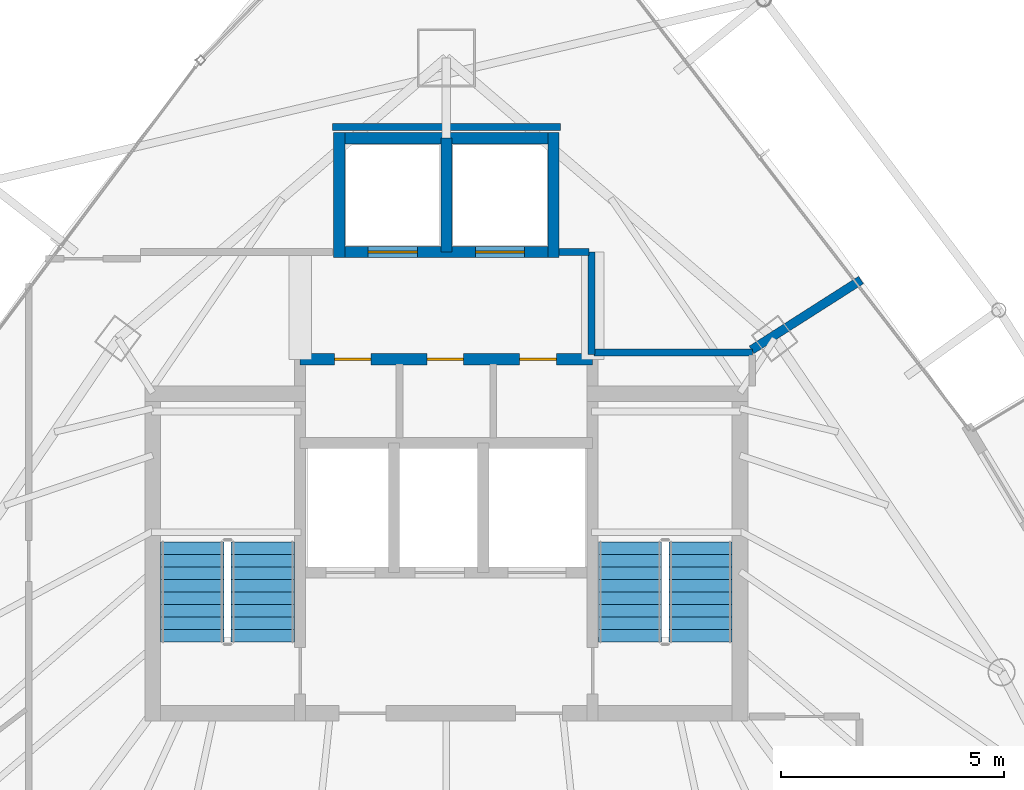
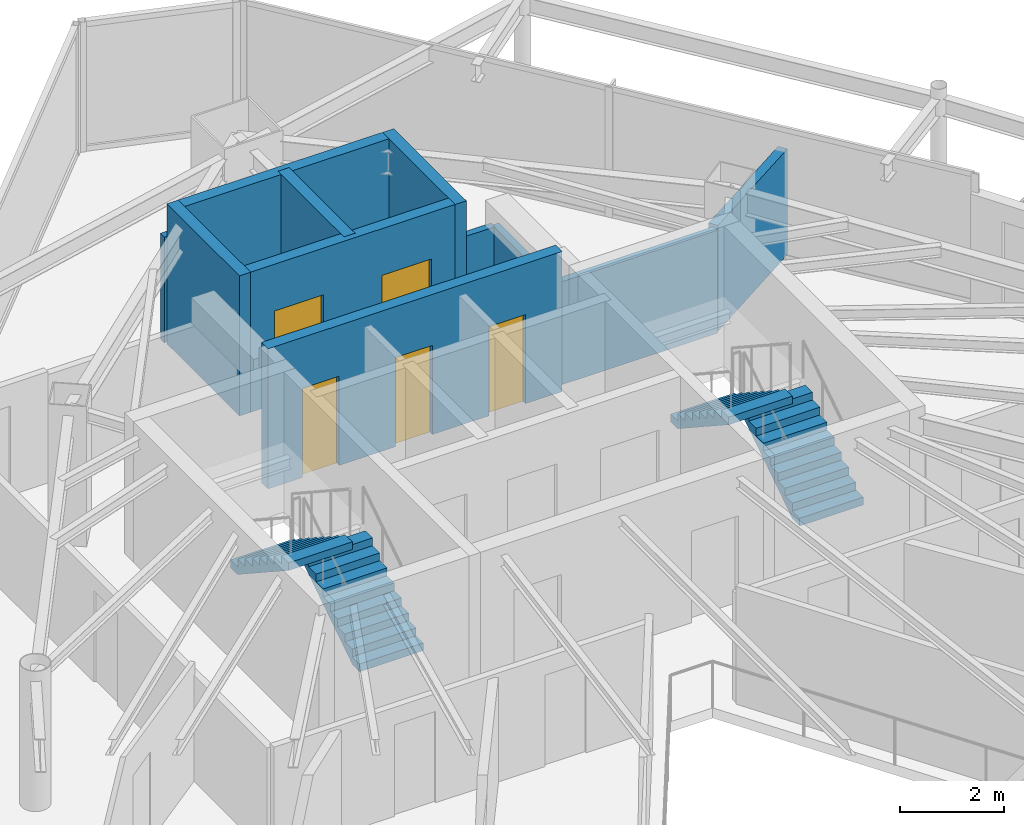
# One storey, part 30 of 33: 11 walls, 5 doors, 4 stair flights, 5 openings, 2 elements without a shape of their own.
"""IFC4 building model written with IfcOpenShell, lengths in metres."""

from ifc_helpers import new_model, si_unit, direction, frame, frame_2d, origin, place, context, subcontext, project, spatial, polyline, rectangle, outline, extrude, material, layer, layer_set, type_object, element, fill, aggregate, save


model = new_model("IFC4")

# Units and contexts
model_context = context("Model", 3, precision=1e-05, world=origin(), true_north=direction((0.0, 1.0)))
body_context = subcontext(model_context, "Body", "Model", "MODEL_VIEW")
ifc_project = project(units=[si_unit("LENGTHUNIT", "METRE"), si_unit("AREAUNIT", "SQUARE_METRE"), si_unit("VOLUMEUNIT", "CUBIC_METRE"), si_unit("PLANEANGLEUNIT", "RADIAN"), si_unit("MASSUNIT", "GRAM", prefix="KILO")], contexts=[model_context])

# Site, building, storey
site_placement = place(None, origin())
site = spatial("IfcSite", under=ifc_project, at=site_placement, CompositionType="ELEMENT")
building_placement = place(site_placement, origin())
building = spatial("IfcBuilding", under=site, at=building_placement, Name="Orvanel Arch Residences", CompositionType="ELEMENT")
storey_placement = place(building_placement, frame((0.0, 0.0, 209.60009765625)))
storey = spatial("IfcBuildingStorey", under=building, at=storey_placement, Name="L59", CompositionType="ELEMENT", Elevation=209.60009765625)

# Wall, openings, doors
ifc_material_1 = material(Name="Concrete N50 (50 MPa)", Category="concrete")
ifc_layer_1 = layer(ifc_material_1, 0.25)
ifc_layer_set_1 = layer_set([ifc_layer_1], Name="Concrete N50 (50 MPa)")
wall_type_1 = type_object("IfcWallType", Name="SW-CORE-250", PredefinedType="SHEAR", material=ifc_layer_set_1)
wall_1_placement = place(storey_placement, frame((29.72509765625, 34.64990234375, 0.0), z_axis=(0.0, 0.0, 1.0), x_axis=(1.0, 0.0, 0.0)))
wall_1 = element("IfcWall", 1, at=wall_1_placement, inside=storey, type_object=wall_type_1, Name="L59 Core Service Band North Shear Wall", PredefinedType="SHEAR", context=body_context, shape_type="SweptSolid", body=[
    extrude(rectangle(XDim=6.5498046875, YDim=0.25, at=frame_2d((3.27490234375, 0.0))), origin(), (0.0, 0.0, 1.0), 3.2998046875),
])
opening_1_placement = place(wall_1_placement, frame((0.764892578125, 0.0, 0.0)))
opening_1 = element("IfcOpeningElement", 2, at=opening_1_placement, cuts=wall_1, Name="Opening DS-082", PredefinedType="OPENING", context=body_context, shape_type="SweptSolid", body=[
    extrude(rectangle(XDim=0.820068359375, YDim=2.10009765625, at=frame_2d((0.41015625, 1.050048828125))), frame((0.0, 0.135009765625, 0.0), z_axis=(0.0, -1.0, 0.0), x_axis=(1.0, 0.0, 0.0)), (0.0, 0.0, 1.0), 0.27001953125),
])
opening_2_placement = place(wall_1_placement, frame((2.840087890625, 0.0, 0.0)))
opening_2 = element("IfcOpeningElement", 3, at=opening_2_placement, cuts=wall_1, Name="Opening DS-082", PredefinedType="OPENING", context=body_context, shape_type="SweptSolid", body=[
    extrude(rectangle(XDim=0.820068359375, YDim=2.10009765625, at=frame_2d((0.41015625, 1.050048828125))), frame((0.0, 0.135009765625, 0.0), z_axis=(0.0, -1.0, 0.0), x_axis=(1.0, 0.0, 0.0)), (0.0, 0.0, 1.0), 0.27001953125),
])
opening_3_placement = place(wall_1_placement, frame((4.9150390625, 0.0, 0.0)))
opening_3 = element("IfcOpeningElement", 4, at=opening_3_placement, cuts=wall_1, Name="Opening DS-082", PredefinedType="OPENING", context=body_context, shape_type="SweptSolid", body=[
    extrude(rectangle(XDim=0.820068359375, YDim=2.10009765625, at=frame_2d((0.41015625, 1.050048828125))), frame((0.0, 0.135009765625, 0.0), z_axis=(0.0, -1.0, 0.0), x_axis=(1.0, 0.0, 0.0)), (0.0, 0.0, 1.0), 0.27001953125),
])
ifc_material_2 = material(Name="Galvanised steel fire-resisting door assembly", Category="steel")
door_type_1 = type_object("IfcDoorType", Name="DR-SVC-820", OperationType="NOTDEFINED", PredefinedType="DOOR", material=ifc_material_2)
door_1_placement = place(opening_1_placement, origin())
door_1 = element("IfcDoor", 5, at=door_1_placement, inside=storey, type_object=door_type_1, Name="DR-L59-CSVC-1 L59 Housekeeping Store Door", OperationType="SINGLE_SWING_LEFT", OverallHeight=2.10009765625, OverallWidth=0.820068359375, PredefinedType="DOOR", context=body_context, shape_type="SweptSolid", body=[
    extrude(rectangle(XDim=0.820068359375, YDim=2.10009765625, at=frame_2d((0.41015625, 1.050048828125))), frame((0.0, 0.02490234375, 0.0), z_axis=(0.0, -1.0, 0.0), x_axis=(1.0, 0.0, 0.0)), (0.0, 0.0, 1.0), 0.050048828125),
])
fill(opening_1, door_1)
door_2_placement = place(opening_2_placement, origin())
door_2 = element("IfcDoor", 6, at=door_2_placement, inside=storey, type_object=door_type_1, Name="DR-L59-CSVC-2 L59 Cleaner's Store Door", OperationType="SINGLE_SWING_LEFT", OverallHeight=2.10009765625, OverallWidth=0.820068359375, PredefinedType="DOOR", context=body_context, shape_type="SweptSolid", body=[
    extrude(rectangle(XDim=0.820068359375, YDim=2.10009765625, at=frame_2d((0.41015625, 1.050048828125))), frame((0.0, 0.02490234375, 0.0), z_axis=(0.0, -1.0, 0.0), x_axis=(1.0, 0.0, 0.0)), (0.0, 0.0, 1.0), 0.050048828125),
])
fill(opening_2, door_2)
door_3_placement = place(opening_3_placement, origin())
door_3 = element("IfcDoor", 7, at=door_3_placement, inside=storey, type_object=door_type_1, Name="DR-L59-CSVC-3 L59 Comms Riser Store Door", OperationType="SINGLE_SWING_LEFT", OverallHeight=2.10009765625, OverallWidth=0.820068359375, PredefinedType="DOOR", context=body_context, shape_type="SweptSolid", body=[
    extrude(rectangle(XDim=0.820068359375, YDim=2.10009765625, at=frame_2d((0.41015625, 1.050048828125))), frame((0.0, 0.02490234375, 0.0), z_axis=(0.0, -1.0, 0.0), x_axis=(1.0, 0.0, 0.0)), (0.0, 0.0, 1.0), 0.050048828125),
])
fill(opening_3, door_3)

wall_2_placement = place(storey_placement, frame((35.52490234375, 37.050048828125, 0.0), z_axis=(0.0, 0.0, 1.0), x_axis=(-1.0, 0.0, 0.0)))
wall_2 = element("IfcWall", 8, at=wall_2_placement, inside=storey, type_object=wall_type_1, Name="L59 Passenger Lift Bank Front Shear Wall", PredefinedType="SHEAR", context=body_context, shape_type="SweptSolid", body=[
    extrude(rectangle(XDim=5.0498046875, YDim=0.25, at=frame_2d((2.52490234375, 0.0))), origin(), (0.0, 0.0, 1.0), 3.2998046875),
])
opening_4_placement = place(wall_2_placement, frame((3.175048828125, 0.0, 0.0)))
opening_4 = element("IfcOpeningElement", 9, at=opening_4_placement, cuts=wall_2, Name="Opening LD-110", PredefinedType="OPENING", context=body_context, shape_type="SweptSolid", body=[
    extrude(rectangle(XDim=1.10009765625, YDim=2.199951171875, at=frame_2d((0.550048828125, 1.10009765625))), frame((0.0, 0.135009765625, 0.0), z_axis=(0.0, -1.0, 0.0), x_axis=(1.0, 0.0, 0.0)), (0.0, 0.0, 1.0), 0.27001953125),
])
opening_5_placement = place(wall_2_placement, frame((0.77490234375, 0.0, 0.0)))
opening_5 = element("IfcOpeningElement", 10, at=opening_5_placement, cuts=wall_2, Name="Opening LD-110", PredefinedType="OPENING", context=body_context, shape_type="SweptSolid", body=[
    extrude(rectangle(XDim=1.10009765625, YDim=2.199951171875, at=frame_2d((0.550048828125, 1.10009765625))), frame((0.0, 0.135009765625, 0.0), z_axis=(0.0, -1.0, 0.0), x_axis=(1.0, 0.0, 0.0)), (0.0, 0.0, 1.0), 0.27001953125),
])
door_type_2 = type_object("IfcDoorType", Name="DR-LFT-1100", OperationType="NOTDEFINED", PredefinedType="DOOR", material=ifc_material_2)
door_4_placement = place(opening_4_placement, origin())
door_4 = element("IfcDoor", 11, at=door_4_placement, inside=storey, type_object=door_type_2, Name="LD-P5-L59 L59 Passenger Lift P5 Sliding Landing Door", OperationType="DOUBLE_DOOR_SLIDING", OverallHeight=2.199951171875, OverallWidth=1.10009765625, PredefinedType="DOOR", context=body_context, shape_type="SweptSolid", body=[
    extrude(rectangle(XDim=1.10009765625, YDim=2.199951171875, at=frame_2d((0.550048828125, 1.10009765625))), frame((0.0, 0.02490234375, 0.0), z_axis=(0.0, -1.0, 0.0), x_axis=(1.0, 0.0, 0.0)), (0.0, 0.0, 1.0), 0.050048828125),
])
fill(opening_4, door_4)
door_5_placement = place(opening_5_placement, origin())
door_5 = element("IfcDoor", 12, at=door_5_placement, inside=storey, type_object=door_type_2, Name="LD-P6-L59 L59 Passenger Lift P6 Sliding Landing Door", OperationType="DOUBLE_DOOR_SLIDING", OverallHeight=2.199951171875, OverallWidth=1.10009765625, PredefinedType="DOOR", context=body_context, shape_type="SweptSolid", body=[
    extrude(rectangle(XDim=1.10009765625, YDim=2.199951171875, at=frame_2d((0.550048828125, 1.10009765625))), frame((0.0, 0.02490234375, 0.0), z_axis=(0.0, -1.0, 0.0), x_axis=(1.0, 0.0, 0.0)), (0.0, 0.0, 1.0), 0.050048828125),
])
fill(opening_5, door_5)

# Walls
wall_3_placement = place(storey_placement, frame((30.47509765625, 39.60009765625, 0.0), z_axis=(0.0, 0.0, 1.0), x_axis=(1.0, 0.0, 0.0)))
element("IfcWall", 13, at=wall_3_placement, inside=storey, type_object=wall_type_1, Name="L59 Passenger Lift Bank North Shear Wall", PredefinedType="SHEAR", context=body_context, shape_type="SweptSolid", body=[
    extrude(rectangle(XDim=5.0498046875, YDim=0.25, at=frame_2d((2.52490234375, 0.0))), origin(), (0.0, 0.0, 1.0), 3.2998046875),
])
for number, where, z_axis, x_axis, name in (
    (14, (30.60009765625, 36.925048828125, 0.0), (0.0, 0.0, 1.0), (0.0, 1.0, 0.0), "L59 Passenger Lift Bank West Shear Wall"),
    (15, (35.39990234375, 36.925048828125, 0.0), (0.0, 0.0, 1.0), (0.0, 1.0, 0.0), "L59 Passenger Lift Bank East Shear Wall"),
):
    element("IfcWall", number, at=place(storey_placement, frame(where, z_axis=z_axis, x_axis=x_axis)), inside=storey, type_object=wall_type_1, Name=name, PredefinedType="SHEAR", context=body_context, shape_type="SweptSolid", body=[
        extrude(rectangle(XDim=2.800048828125, YDim=0.25, at=frame_2d((1.39990234375, 0.0))), origin(), (0.0, 0.0, 1.0), 3.2998046875),
    ])
wall_4_placement = place(storey_placement, frame((33.0, 37.050048828125, 0.0), z_axis=(0.0, 0.0, 1.0), x_axis=(0.0, 1.0, 0.0)))
element("IfcWall", 16, at=wall_4_placement, inside=storey, type_object=wall_type_1, Name="L59 Passenger Lift Inter-Shaft Wall P56", PredefinedType="SHEAR", context=body_context, shape_type="SweptSolid", body=[
    extrude(rectangle(XDim=2.550048828125, YDim=0.25, at=frame_2d((1.27490234375, 0.0))), origin(), (0.0, 0.0, 1.0), 3.2998046875),
])
ifc_material_3 = material(Name="Fire-rated plasterboard lined steel stud partition", Category="steel")
ifc_layer_2 = layer(ifc_material_3, 0.14990234375)
ifc_layer_set_2 = layer_set([ifc_layer_2], Name="Fire-rated plasterboard lined steel stud partition")
wall_type_2 = type_object("IfcWallType", Name="W-COR-150", PredefinedType="PARTITIONING", material=ifc_layer_set_2)
wall_5_placement = place(storey_placement, frame((36.25, 34.760009765625, 0.0), z_axis=(0.0, 0.0, 1.0), x_axis=(0.0, 1.0, 0.0)))
element("IfcWall", 17, at=wall_5_placement, inside=storey, type_object=wall_type_2, Name="L59 Passenger Lift Lobby East Closure Wall", PredefinedType="PARTITIONING", context=body_context, shape_type="SweptSolid", body=[
    extrude(rectangle(XDim=2.2900390625, YDim=0.14990234375, at=frame_2d((1.14501953125, 0.0))), origin(), (0.0, 0.0, 1.0), 2.4248046875),
])
wall_6_placement = place(storey_placement, frame((35.52490234375, 37.050048828125, 0.0), z_axis=(0.0, 0.0, 1.0), x_axis=(1.0, 0.0, 0.0)))
element("IfcWall", 18, at=wall_6_placement, inside=storey, type_object=wall_type_2, Name="L59 Passenger Lift Lobby North-East Wall", PredefinedType="PARTITIONING", context=body_context, shape_type="SweptSolid", body=[
    extrude(rectangle(XDim=0.6650390625, YDim=0.14990234375, at=frame_2d((0.33251953125, 0.0))), origin(), (0.0, 0.0, 1.0), 2.4248046875),
])
wall_7_placement = place(storey_placement, frame((30.449951171875, 39.85009765625, 0.0), z_axis=(0.0, 0.0, 1.0), x_axis=(1.0, 0.0, 0.0)))
element("IfcWall", 19, at=wall_7_placement, inside=storey, type_object=wall_type_2, Name="L59 Core Perimeter Partition", PredefinedType="PARTITIONING", context=body_context, shape_type="SweptSolid", body=[
    extrude(rectangle(XDim=5.10009765625, YDim=0.14990234375, at=frame_2d((2.550048828125, 0.0))), origin(), (0.0, 0.0, 1.0), 2.491943359375),
])
wall_8_placement = place(storey_placement, frame((36.31005859375, 34.800048828125, 0.0), z_axis=(0.0, 0.0, 1.0), x_axis=(1.0, 0.0, 0.0)))
element("IfcWall", 20, at=wall_8_placement, inside=storey, type_object=wall_type_2, Name="L59 Core Perimeter Partition", PredefinedType="PARTITIONING", context=body_context, shape_type="SweptSolid", body=[
    extrude(rectangle(XDim=3.5400390625, YDim=0.14990234375, at=frame_2d((1.77001953125, 0.0))), origin(), (0.0, 0.0, 1.0), 2.4248046875),
])
ifc_layer_3 = layer(ifc_material_3, 0.199951171875)
ifc_layer_set_3 = layer_set([ifc_layer_3], Name="Fire-rated plasterboard lined steel stud partition")
wall_type_3 = type_object("IfcWallType", Name="W-DEM-200", PredefinedType="PARTITIONING", material=ifc_layer_set_3)
wall_9_placement = place(storey_placement, frame((39.8330078125, 34.860107421875, 0.0), z_axis=(0.0, 0.0, 1.0), x_axis=(0.842993506682, 0.537923737803, 0.0)))
element("IfcWall", 21, at=wall_9_placement, inside=storey, type_object=wall_type_3, Name="L59 Inter-Tenancy Acoustic Demising Wall", PredefinedType="PARTITIONING", context=body_context, shape_type="SweptSolid", body=[
    extrude(rectangle(XDim=2.907470703125, YDim=0.199951171875, at=frame_2d((1.45361328125, 0.0))), origin(), (0.0, 0.0, 1.0), 2.491943359375),
])

# Stair, stair flights
ifc_material_4 = material(Name="Precast concrete N50 (50 MPa)", Category="concrete")
stair_type = type_object("IfcStairType", Name="STR-DOG-184", PredefinedType="USERDEFINED", material=ifc_material_4)
stair_1_placement = place(storey_placement, origin())
stair_1 = element("IfcStair", 22, at=stair_1_placement, inside=storey, type_object=stair_type, Name="L59 Fire-Isolated Core Exit Stair 1", ObjectType="TWO_RETURN_STAIR", PredefinedType="USERDEFINED")
stair_flight_type_1 = type_object("IfcStairFlightType", Name="SFL-C1-184", PredefinedType="STRAIGHT", material=ifc_material_4)
stair_flight_1_placement = place(storey_placement, frame((28.889892578125, 28.320068359375, 0.0), z_axis=(0.0, 0.0, 1.0), x_axis=(0.0, 1.0, 0.0)))
stair_flight_1 = element("IfcStairFlight", 23, at=stair_flight_1_placement, type_object=stair_flight_type_1, Name="ST-1 flight 1", NumberOfRisers=9, NumberOfTreads=8, PredefinedType="STRAIGHT", RiserHeight=0.183333333, TreadLength=0.28, context=body_context, shape_type="SweptSolid", body=[
    extrude(outline(polyline([(0.0, 0.0), (0.0, 0.183349609375), (0.280029296875, 0.183349609375), (0.280029296875, 0.36669921875), (0.56005859375, 0.36669921875), (0.56005859375, 0.550048828125), (0.840087890625, 0.550048828125), (0.840087890625, 0.7333984375), (1.1201171875, 0.7333984375), (1.1201171875, 0.916748046875), (1.39990234375, 0.916748046875), (1.39990234375, 1.10009765625), (1.679931640625, 1.10009765625), (1.679931640625, 1.283447265625), (1.9599609375, 1.283447265625), (1.9599609375, 1.466552734375), (2.239990234375, 1.466552734375), (2.239990234375, 1.64990234375), (2.239990234375, 1.28759765625), (0.273681640625, 0.0), (0.0, 0.0)])), frame((0.0, 0.7099609375, 0.0), z_axis=(0.0, -1.0, 0.0), x_axis=(1.0, 0.0, 0.0)), (0.0, 0.0, 1.0), 1.419921875),
])
stair_flight_2_placement = place(storey_placement, frame((27.31005859375, 30.56005859375, 1.64990234375), z_axis=(0.0, 0.0, 1.0), x_axis=(0.0, -1.0, 0.0)))
stair_flight_2 = element("IfcStairFlight", 24, at=stair_flight_2_placement, type_object=stair_flight_type_1, Name="ST-1 flight 2", NumberOfRisers=9, NumberOfTreads=8, PredefinedType="STRAIGHT", RiserHeight=0.183333333, TreadLength=0.28, context=body_context, shape_type="SweptSolid", body=[
    extrude(outline(polyline([(0.0, 0.0), (0.0, 0.183349609375), (0.280029296875, 0.183349609375), (0.280029296875, 0.36669921875), (0.56005859375, 0.36669921875), (0.56005859375, 0.550048828125), (0.840087890625, 0.550048828125), (0.840087890625, 0.7333984375), (1.1201171875, 0.7333984375), (1.1201171875, 0.916748046875), (1.39990234375, 0.916748046875), (1.39990234375, 1.10009765625), (1.679931640625, 1.10009765625), (1.679931640625, 1.283447265625), (1.9599609375, 1.283447265625), (1.9599609375, 1.466552734375), (2.239990234375, 1.466552734375), (2.239990234375, 1.64990234375), (2.239990234375, 1.28759765625), (0.273681640625, 0.0), (0.0, 0.0)])), frame((0.0, 0.7099609375, 0.0), z_axis=(0.0, -1.0, 0.0), x_axis=(1.0, 0.0, 0.0)), (0.0, 0.0, 1.0), 1.419921875),
])
aggregate(stair_1, [stair_flight_1, stair_flight_2])

stair_2_placement = place(storey_placement, origin())
stair_2 = element("IfcStair", 25, at=stair_2_placement, inside=storey, type_object=stair_type, Name="L59 Fire-Isolated Core Exit Stair 2", ObjectType="TWO_RETURN_STAIR", PredefinedType="USERDEFINED")
stair_flight_type_2 = type_object("IfcStairFlightType", Name="SFL-C2-184", PredefinedType="STRAIGHT", material=ifc_material_4)
stair_flight_3_placement = place(storey_placement, frame((38.68994140625, 28.320068359375, 0.0), z_axis=(0.0, 0.0, 1.0), x_axis=(0.0, 1.0, 0.0)))
stair_flight_3 = element("IfcStairFlight", 26, at=stair_flight_3_placement, type_object=stair_flight_type_2, Name="ST-2 flight 1", NumberOfRisers=9, NumberOfTreads=8, PredefinedType="STRAIGHT", RiserHeight=0.183333333, TreadLength=0.28, context=body_context, shape_type="SweptSolid", body=[
    extrude(outline(polyline([(0.0, 0.0), (0.0, 0.183349609375), (0.280029296875, 0.183349609375), (0.280029296875, 0.36669921875), (0.56005859375, 0.36669921875), (0.56005859375, 0.550048828125), (0.840087890625, 0.550048828125), (0.840087890625, 0.7333984375), (1.1201171875, 0.7333984375), (1.1201171875, 0.916748046875), (1.39990234375, 0.916748046875), (1.39990234375, 1.10009765625), (1.679931640625, 1.10009765625), (1.679931640625, 1.283447265625), (1.9599609375, 1.283447265625), (1.9599609375, 1.466552734375), (2.239990234375, 1.466552734375), (2.239990234375, 1.64990234375), (2.239990234375, 1.28759765625), (0.273681640625, 0.0), (0.0, 0.0)])), frame((0.0, 0.7099609375, 0.0), z_axis=(0.0, -1.0, 0.0), x_axis=(1.0, 0.0, 0.0)), (0.0, 0.0, 1.0), 1.419921875),
])
stair_flight_4_placement = place(storey_placement, frame((37.110107421875, 30.56005859375, 1.64990234375), z_axis=(0.0, 0.0, 1.0), x_axis=(0.0, -1.0, 0.0)))
stair_flight_4 = element("IfcStairFlight", 27, at=stair_flight_4_placement, type_object=stair_flight_type_2, Name="ST-2 flight 2", NumberOfRisers=9, NumberOfTreads=8, PredefinedType="STRAIGHT", RiserHeight=0.183333333, TreadLength=0.28, context=body_context, shape_type="SweptSolid", body=[
    extrude(outline(polyline([(0.0, 0.0), (0.0, 0.183349609375), (0.280029296875, 0.183349609375), (0.280029296875, 0.36669921875), (0.56005859375, 0.36669921875), (0.56005859375, 0.550048828125), (0.840087890625, 0.550048828125), (0.840087890625, 0.7333984375), (1.1201171875, 0.7333984375), (1.1201171875, 0.916748046875), (1.39990234375, 0.916748046875), (1.39990234375, 1.10009765625), (1.679931640625, 1.10009765625), (1.679931640625, 1.283447265625), (1.9599609375, 1.283447265625), (1.9599609375, 1.466552734375), (2.239990234375, 1.466552734375), (2.239990234375, 1.64990234375), (2.239990234375, 1.28759765625), (0.273681640625, 0.0), (0.0, 0.0)])), frame((0.0, 0.7099609375, 0.0), z_axis=(0.0, -1.0, 0.0), x_axis=(1.0, 0.0, 0.0)), (0.0, 0.0, 1.0), 1.419921875),
])
aggregate(stair_2, [stair_flight_3, stair_flight_4])

save(model, "model.ifc")
